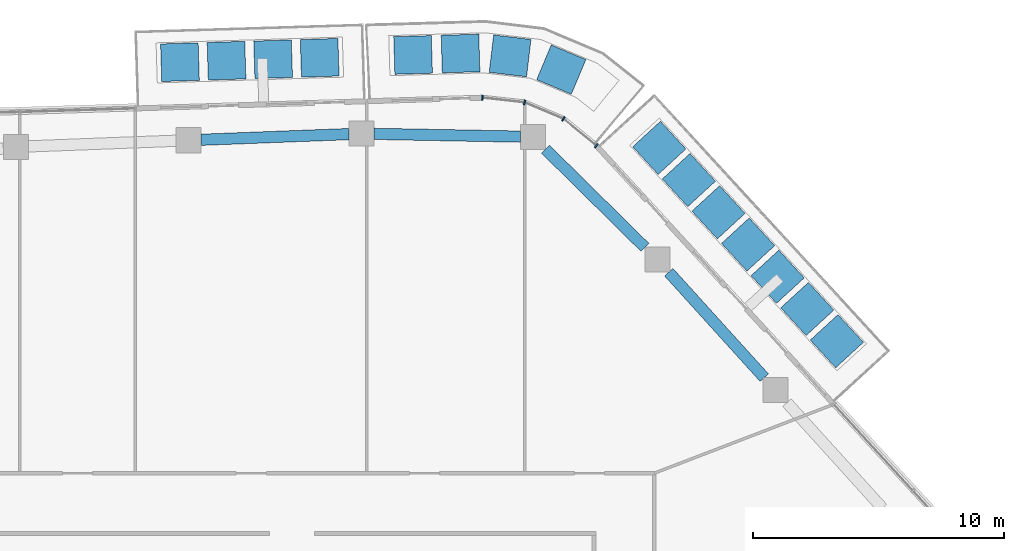
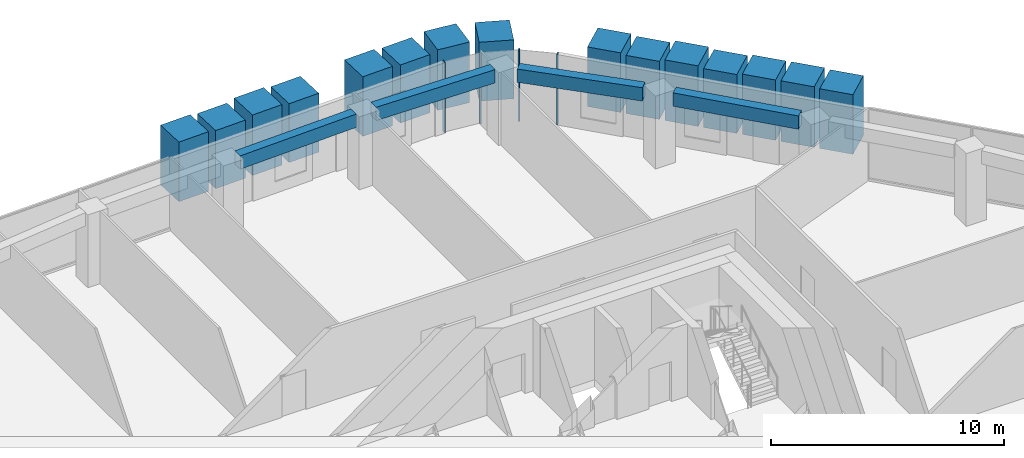
# One storey, part 9 of 24: 19 members, 4 beams, 1 element without a shape of its own.
"""IFC4 building model written with IfcOpenShell, lengths in metres."""

from ifc_helpers import new_model, si_unit, direction, frame, origin, origin_2d, place, context, subcontext, project, spatial, rectangle, extrude, material, layer, layer_set, material_profile, profile_set, type_object, element, aggregate, save


model = new_model("IFC4")

# Units and contexts
model_context = context("Model", 3, precision=1e-05, world=origin(), true_north=direction((0.0, 1.0)))
body_context = subcontext(model_context, "Body", "Model", "MODEL_VIEW")
ifc_project = project(units=[si_unit("LENGTHUNIT", "METRE"), si_unit("AREAUNIT", "SQUARE_METRE"), si_unit("VOLUMEUNIT", "CUBIC_METRE"), si_unit("PLANEANGLEUNIT", "RADIAN"), si_unit("MASSUNIT", "GRAM", prefix="KILO")], contexts=[model_context])

# Site, building, storey
site_placement = place(None, origin())
site = spatial("IfcSite", under=ifc_project, at=site_placement, CompositionType="ELEMENT")
building_placement = place(site_placement, origin())
building = spatial("IfcBuilding", under=site, at=building_placement, Name="Dongbaek Canopy Tower", CompositionType="ELEMENT")
storey_placement = place(building_placement, frame((0.0, 0.0, 344.60009765625)))
storey = spatial("IfcBuildingStorey", under=building, at=storey_placement, Name="L74", CompositionType="ELEMENT", Elevation=344.60009765625)

# Curtain wall, members
ifc_material_1 = material(Name="Aluminium 6063-T6 pale anodised", Category="aluminium")
ifc_layer = layer(ifc_material_1, 0.199951171875)
ifc_layer_set = layer_set([ifc_layer], Name="CW-1 unitised tower curtain wall")
curtain_wall_type = type_object("IfcCurtainWallType", Name="CW-1 unitised tower curtain wall", PredefinedType="NOTDEFINED", material=ifc_layer_set)
curtain_wall_placement = place(storey_placement, origin())
curtain_wall = element("IfcCurtainWall", 1, at=curtain_wall_placement, inside=storey, type_object=curtain_wall_type, Name="CW-1 curtain wall K1.1", PredefinedType="NOTDEFINED")
ifc_material_2 = material(Name="Aluminium 6063-T6 pale anodised", Category="aluminium")
ifc_material_profile_1 = material_profile(ifc_material_2, rectangle(XDim=0.199951171875, YDim=0.06005859375, at=origin_2d()), Name="CW-1 mullion 60 x 200")
ifc_profile_set_1 = profile_set([ifc_material_profile_1], Name="Aluminium 6063-T6 pale anodised")
member_type_1 = type_object("IfcMemberType", Name="CW-1 mullion 60 x 200", PredefinedType="MULLION", material=ifc_profile_set_1)
member_1_placement = place(storey_placement, frame((14.840087890625, 27.214111328125, 0.0), z_axis=(0.0, 0.0, 1.0), x_axis=(0.632529896044, 0.774535945331, 0.0)))
member_1 = element("IfcMember", 2, at=member_1_placement, type_object=member_type_1, Name="CW-1 mullion K1.1.1", PredefinedType="MULLION", context=body_context, shape_type="SweptSolid", body=[
    extrude(rectangle(XDim=0.199951171875, YDim=0.06005859375, at=origin_2d()), origin(), (0.0, 0.0, 1.0), 3.699951171875),
])
member_2_placement = place(storey_placement, frame((13.53076171875, 28.283447265625, 0.0), z_axis=(0.0, 0.0, 1.0), x_axis=(0.515550928546, 0.856858938259, 0.0)))
member_2 = element("IfcMember", 3, at=member_2_placement, type_object=member_type_1, Name="CW-1 mullion K1.1.2", PredefinedType="MULLION", context=body_context, shape_type="SweptSolid", body=[
    extrude(rectangle(XDim=0.199951171875, YDim=0.06005859375, at=origin_2d()), origin(), (0.0, 0.0, 1.0), 3.699951171875),
])
member_3_placement = place(storey_placement, frame((11.979248046875, 28.9365234375, 0.0), z_axis=(0.0, 0.0, 1.0), x_axis=(0.25255605733, 0.967582264154, 0.0)))
member_3 = element("IfcMember", 4, at=member_3_placement, type_object=member_type_1, Name="CW-1 mullion K1.1.3", PredefinedType="MULLION", context=body_context, shape_type="SweptSolid", body=[
    extrude(rectangle(XDim=0.199951171875, YDim=0.06005859375, at=origin_2d()), origin(), (0.0, 0.0, 1.0), 3.699951171875),
])
member_4_placement = place(storey_placement, frame((10.29931640625, 29.125732421875, 0.0), z_axis=(0.0, 0.0, 1.0), x_axis=(0.111921332156, 0.9937170701, 0.0)))
member_4 = element("IfcMember", 5, at=member_4_placement, type_object=member_type_1, Name="CW-1 mullion K1.1.4", PredefinedType="MULLION", context=body_context, shape_type="SweptSolid", body=[
    extrude(rectangle(XDim=0.199951171875, YDim=0.06005859375, at=origin_2d()), origin(), (0.0, 0.0, 1.0), 3.699951171875),
])
aggregate(curtain_wall, [member_1, member_2, member_3, member_4])

# Beams
ifc_material_3 = material(Name="Concrete C60", Category="concrete")
ifc_material_profile_2 = material_profile(ifc_material_3, rectangle(XDim=0.449951171875, YDim=0.699951171875, at=origin_2d()), Name="RC EDGE BEAM 450x700 C60")
ifc_profile_set_2 = profile_set([ifc_material_profile_2], Name="Concrete C60")
beam_type = type_object("IfcBeamType", Name="RC EDGE BEAM 450x700 C60", PredefinedType="BEAM", material=ifc_profile_set_2)
beam_1_placement = place(storey_placement, frame((-0.91796875, 27.447265625, 3.469970703125), z_axis=(0.999267098379, 0.038278794366, 0.0), x_axis=(-0.038278794366, 0.999267098379, 0.0)))
element("IfcBeam", 6, at=beam_1_placement, inside=storey, type_object=beam_type, Name="EDGEBEAM:L74:15", PredefinedType="BEAM", context=body_context, shape_type="SweptSolid", body=[
    extrude(rectangle(XDim=0.449951171875, YDim=0.699951171875, at=origin_2d()), origin(), (0.0, 0.0, 1.0), 5.893310546875),
])
beam_2_placement = place(storey_placement, frame((5.970947265625, 27.6826171875, 3.469970703125), z_axis=(0.99982249395, -0.018840928625, 0.0), x_axis=(0.018840928625, 0.99982249395, 0.0)))
element("IfcBeam", 7, at=beam_2_placement, inside=storey, type_object=beam_type, Name="EDGEBEAM:L74:16", PredefinedType="BEAM", context=body_context, shape_type="SweptSolid", body=[
    extrude(rectangle(XDim=0.449951171875, YDim=0.699951171875, at=origin_2d()), origin(), (0.0, 0.0, 1.0), 5.843994140625),
])
beam_3_placement = place(storey_placement, frame((12.81396484375, 27.069580078125, 3.469970703125), z_axis=(0.711740530271, -0.702442465665, 0.0), x_axis=(0.702442465665, 0.711740530271, 0.0)))
element("IfcBeam", 8, at=beam_3_placement, inside=storey, type_object=beam_type, Name="EDGEBEAM:L74:17", PredefinedType="BEAM", context=body_context, shape_type="SweptSolid", body=[
    extrude(rectangle(XDim=0.449951171875, YDim=0.699951171875, at=origin_2d()), origin(), (0.0, 0.0, 1.0), 5.56640625),
])
beam_4_placement = place(storey_placement, frame((17.72900390625, 22.166015625, 3.469970703125), z_axis=(0.67133921348, -0.741150227986, 0.0), x_axis=(0.741150227986, 0.67133921348, 0.0)))
element("IfcBeam", 9, at=beam_4_placement, inside=storey, type_object=beam_type, Name="EDGEBEAM:L74:18", PredefinedType="BEAM", context=body_context, shape_type="SweptSolid", body=[
    extrude(rectangle(XDim=0.449951171875, YDim=0.699951171875, at=origin_2d()), origin(), (0.0, 0.0, 1.0), 5.67236328125),
])

# Members
ifc_material_4 = material(Name="Concrete C40/50 planter mass with planting", Category="concrete")
ifc_material_profile_3 = material_profile(ifc_material_4, rectangle(XDim=1.5, YDim=1.5, at=origin_2d()), Name="Terrace PLANTER shrub mass 1500 x 1500")
ifc_profile_set_3 = profile_set([ifc_material_profile_3], Name="Concrete C40/50 planter mass with planting")
member_type_2 = type_object("IfcMemberType", Name="Terrace PLANTER shrub mass 1500 x 1500", PredefinedType="USERDEFINED", material=ifc_profile_set_3)
member_5_placement = place(storey_placement, frame((24.4326171875, 19.414306640625, 0.419921875), z_axis=(0.0, 0.0, 1.0), x_axis=(0.736566571941, 0.676365053133, 0.0)))
element("IfcMember", 10, at=member_5_placement, inside=storey, type_object=member_type_2, Name="Planter shrubs L74 1.1", ObjectType="PLANTER", PredefinedType="USERDEFINED", context=body_context, shape_type="SweptSolid", body=[
    extrude(rectangle(XDim=1.5, YDim=1.5, at=origin_2d()), origin(), (0.0, 0.0, 1.0), 3.1298828125),
])
member_6_placement = place(storey_placement, frame((23.25244140625, 20.69921875, 0.419921875), z_axis=(0.0, 0.0, 1.0), x_axis=(0.736566571941, 0.676365053133, 0.0)))
element("IfcMember", 11, at=member_6_placement, inside=storey, type_object=member_type_2, Name="Planter shrubs L74 1.2", ObjectType="PLANTER", PredefinedType="USERDEFINED", context=body_context, shape_type="SweptSolid", body=[
    extrude(rectangle(XDim=1.5, YDim=1.5, at=origin_2d()), origin(), (0.0, 0.0, 1.0), 3.179931640625),
])
member_7_placement = place(storey_placement, frame((22.072509765625, 21.984375, 0.419921875), z_axis=(0.0, 0.0, 1.0), x_axis=(0.736566571941, 0.676365053133, 0.0)))
element("IfcMember", 12, at=member_7_placement, inside=storey, type_object=member_type_2, Name="Planter shrubs L74 1.3", ObjectType="PLANTER", PredefinedType="USERDEFINED", context=body_context, shape_type="SweptSolid", body=[
    extrude(rectangle(XDim=1.5, YDim=1.5, at=origin_2d()), origin(), (0.0, 0.0, 1.0), 3.169921875),
])
member_8_placement = place(storey_placement, frame((20.892578125, 23.269287109375, 0.419921875), z_axis=(0.0, 0.0, 1.0), x_axis=(0.736566571941, 0.676365053133, 0.0)))
element("IfcMember", 13, at=member_8_placement, inside=storey, type_object=member_type_2, Name="Planter shrubs L74 1.4", ObjectType="PLANTER", PredefinedType="USERDEFINED", context=body_context, shape_type="SweptSolid", body=[
    extrude(rectangle(XDim=1.5, YDim=1.5, at=origin_2d()), origin(), (0.0, 0.0, 1.0), 3.090087890625),
])
member_9_placement = place(storey_placement, frame((19.71240234375, 24.554443359375, 0.419921875), z_axis=(0.0, 0.0, 1.0), x_axis=(0.736566571941, 0.676365053133, 0.0)))
element("IfcMember", 14, at=member_9_placement, inside=storey, type_object=member_type_2, Name="Planter shrubs L74 1.5", ObjectType="PLANTER", PredefinedType="USERDEFINED", context=body_context, shape_type="SweptSolid", body=[
    extrude(rectangle(XDim=1.5, YDim=1.5, at=origin_2d()), origin(), (0.0, 0.0, 1.0), 3.179931640625),
])
member_10_placement = place(storey_placement, frame((18.532470703125, 25.839599609375, 0.419921875), z_axis=(0.0, 0.0, 1.0), x_axis=(0.736566571941, 0.676365053133, 0.0)))
element("IfcMember", 15, at=member_10_placement, inside=storey, type_object=member_type_2, Name="Planter shrubs L74 1.6", ObjectType="PLANTER", PredefinedType="USERDEFINED", context=body_context, shape_type="SweptSolid", body=[
    extrude(rectangle(XDim=1.5, YDim=1.5, at=origin_2d()), origin(), (0.0, 0.0, 1.0), 3.050048828125),
])
member_11_placement = place(storey_placement, frame((17.352294921875, 27.12451171875, 0.419921875), z_axis=(0.0, 0.0, 1.0), x_axis=(0.736566571941, 0.676365053133, 0.0)))
element("IfcMember", 16, at=member_11_placement, inside=storey, type_object=member_type_2, Name="Planter shrubs L74 1.7", ObjectType="PLANTER", PredefinedType="USERDEFINED", context=body_context, shape_type="SweptSolid", body=[
    extrude(rectangle(XDim=1.5, YDim=1.5, at=origin_2d()), origin(), (0.0, 0.0, 1.0), 3.1298828125),
])
member_12_placement = place(storey_placement, frame((3.808349609375, 30.71533203125, 0.419921875), z_axis=(0.0, 0.0, 1.0), x_axis=(-0.031003432615, 0.999519278036, 0.0)))
element("IfcMember", 17, at=member_12_placement, inside=storey, type_object=member_type_2, Name="Planter shrubs L74 2.1", ObjectType="PLANTER", PredefinedType="USERDEFINED", context=body_context, shape_type="SweptSolid", body=[
    extrude(rectangle(XDim=1.5, YDim=1.5, at=origin_2d()), origin(), (0.0, 0.0, 1.0), 3.090087890625),
])
member_13_placement = place(storey_placement, frame((1.950927734375, 30.65771484375, 0.419921875), z_axis=(0.0, 0.0, 1.0), x_axis=(-0.031003432615, 0.999519278036, 0.0)))
element("IfcMember", 18, at=member_13_placement, inside=storey, type_object=member_type_2, Name="Planter shrubs L74 2.2", ObjectType="PLANTER", PredefinedType="USERDEFINED", context=body_context, shape_type="SweptSolid", body=[
    extrude(rectangle(XDim=1.5, YDim=1.5, at=origin_2d()), origin(), (0.0, 0.0, 1.0), 3.179931640625),
])
member_14_placement = place(storey_placement, frame((0.09326171875, 30.60009765625, 0.419921875), z_axis=(0.0, 0.0, 1.0), x_axis=(-0.031003432615, 0.999519278036, 0.0)))
element("IfcMember", 19, at=member_14_placement, inside=storey, type_object=member_type_2, Name="Planter shrubs L74 2.3", ObjectType="PLANTER", PredefinedType="USERDEFINED", context=body_context, shape_type="SweptSolid", body=[
    extrude(rectangle(XDim=1.5, YDim=1.5, at=origin_2d()), origin(), (0.0, 0.0, 1.0), 3.050048828125),
])
member_15_placement = place(storey_placement, frame((-1.76416015625, 30.54248046875, 0.419921875), z_axis=(0.0, 0.0, 1.0), x_axis=(-0.031003432615, 0.999519278036, 0.0)))
element("IfcMember", 20, at=member_15_placement, inside=storey, type_object=member_type_2, Name="Planter shrubs L74 2.4", ObjectType="PLANTER", PredefinedType="USERDEFINED", context=body_context, shape_type="SweptSolid", body=[
    extrude(rectangle(XDim=1.5, YDim=1.5, at=origin_2d()), origin(), (0.0, 0.0, 1.0), 3.1298828125),
])
member_16_placement = place(storey_placement, frame((13.44287109375, 30.24365234375, 0.419921875), z_axis=(0.0, 0.0, 1.0), x_axis=(0.388023194103, 0.921649608494, 0.0)))
element("IfcMember", 21, at=member_16_placement, inside=storey, type_object=member_type_2, Name="Planter shrubs L74 6.1", ObjectType="PLANTER", PredefinedType="USERDEFINED", context=body_context, shape_type="SweptSolid", body=[
    extrude(rectangle(XDim=1.5, YDim=1.5, at=origin_2d()), origin(), (0.0, 0.0, 1.0), 3.090087890625),
])
member_17_placement = place(storey_placement, frame((11.40185546875, 30.7919921875, 0.419921875), z_axis=(0.0, 0.0, 1.0), x_axis=(0.118129058491, 0.992998250522, 0.0)))
element("IfcMember", 22, at=member_17_placement, inside=storey, type_object=member_type_2, Name="Planter shrubs L74 6.2", ObjectType="PLANTER", PredefinedType="USERDEFINED", context=body_context, shape_type="SweptSolid", body=[
    extrude(rectangle(XDim=1.5, YDim=1.5, at=origin_2d()), origin(), (0.0, 0.0, 1.0), 3.179931640625),
])
member_18_placement = place(storey_placement, frame((9.425537109375, 30.88623046875, 0.419921875), z_axis=(0.0, 0.0, 1.0), x_axis=(-0.029861282515, 0.999554052469, 0.0)))
element("IfcMember", 23, at=member_18_placement, inside=storey, type_object=member_type_2, Name="Planter shrubs L74 6.3", ObjectType="PLANTER", PredefinedType="USERDEFINED", context=body_context, shape_type="SweptSolid", body=[
    extrude(rectangle(XDim=1.5, YDim=1.5, at=origin_2d()), origin(), (0.0, 0.0, 1.0), 3.050048828125),
])
member_19_placement = place(storey_placement, frame((7.532470703125, 30.82958984375, 0.419921875), z_axis=(0.0, 0.0, 1.0), x_axis=(-0.029861282515, 0.999554052469, 0.0)))
element("IfcMember", 24, at=member_19_placement, inside=storey, type_object=member_type_2, Name="Planter shrubs L74 6.4", ObjectType="PLANTER", PredefinedType="USERDEFINED", context=body_context, shape_type="SweptSolid", body=[
    extrude(rectangle(XDim=1.5, YDim=1.5, at=origin_2d()), origin(), (0.0, 0.0, 1.0), 3.1298828125),
])

save(model, "model.ifc")
